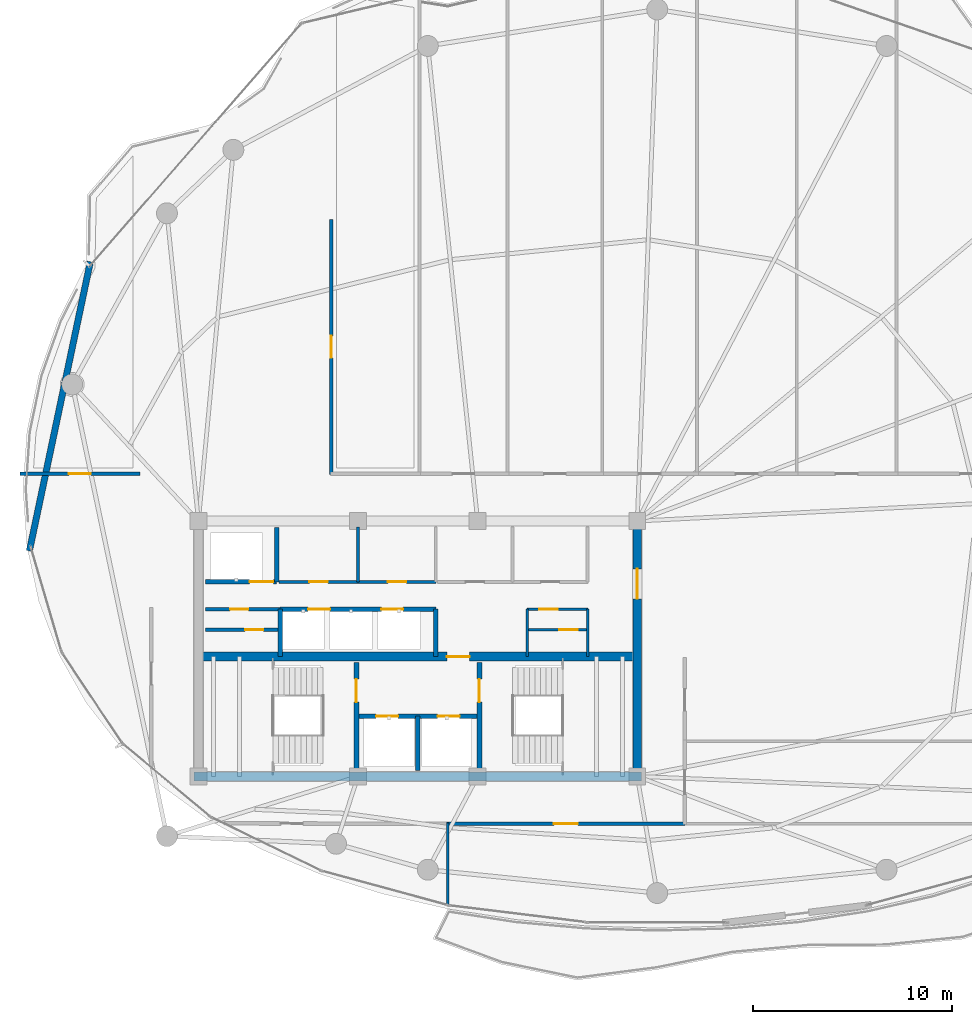
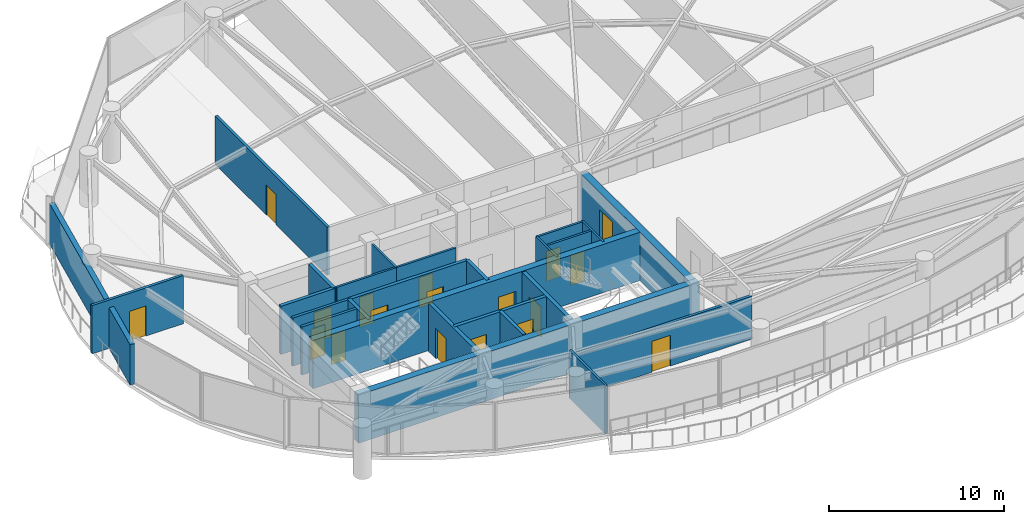
# One storey, part 23 of 28: 26 walls, 18 doors, 18 openings.
"""IFC4 building model written with IfcOpenShell, lengths in metres."""

from ifc_helpers import new_model, si_unit, direction, frame, frame_2d, origin, place, context, subcontext, project, spatial, rectangle, extrude, material, layer, layer_set, type_object, element, fill, save


model = new_model("IFC4")

# Units and contexts
model_context = context("Model", 3, precision=1e-05, world=origin(), true_north=direction((0.0, 1.0)))
body_context = subcontext(model_context, "Body", "Model", "MODEL_VIEW")
ifc_project = project(units=[si_unit("LENGTHUNIT", "METRE"), si_unit("AREAUNIT", "SQUARE_METRE"), si_unit("VOLUMEUNIT", "CUBIC_METRE"), si_unit("PLANEANGLEUNIT", "RADIAN"), si_unit("MASSUNIT", "GRAM", prefix="KILO")], contexts=[model_context])

# Site, building, storey
site_placement = place(None, origin())
site = spatial("IfcSite", under=ifc_project, at=site_placement, CompositionType="ELEMENT")
building_placement = place(site_placement, origin())
building = spatial("IfcBuilding", under=site, at=building_placement, Name="Kazevale Care Tower and Concert Hall", CompositionType="ELEMENT")
storey_placement = place(building_placement, frame((0.0, 0.0, 246.0)))
storey = spatial("IfcBuildingStorey", under=building, at=storey_placement, Name="L65", CompositionType="ELEMENT", Elevation=246.0)

# Wall, opening, door
ifc_material_1 = material(Name="Acoustic Gypsum on Steel Stud", Category="steel")
ifc_layer_1 = layer(ifc_material_1, 0.139892578125)
ifc_layer_set_1 = layer_set([ifc_layer_1], Name="Acoustic Gypsum on Steel Stud")
wall_type_1 = type_object("IfcWallType", Name="Acoustic Care & Suite Partition 140", PredefinedType="PARTITIONING", material=ifc_layer_set_1)
wall_1_placement = place(storey_placement, frame((26.050048828125, 33.35009765625, 0.0), z_axis=(0.0, 0.0, 1.0), x_axis=(1.0, 0.0, 0.0)))
wall_1 = element("IfcWall", 1, at=wall_1_placement, inside=storey, type_object=wall_type_1, Name="wall:L65:c_rpl1_s", PredefinedType="PARTITIONING", context=body_context, shape_type="SweptSolid", body=[
    extrude(rectangle(XDim=3.949951171875, YDim=0.139892578125, at=frame_2d((1.97509765625, 0.0))), origin(), (0.0, 0.0, 1.0), 3.360107421875),
])
opening_1_placement = place(wall_1_placement, frame((1.514892578125, 0.0, 0.0)))
opening_1 = element("IfcOpeningElement", 2, at=opening_1_placement, cuts=wall_1, Name="Opening ID-900", PredefinedType="OPENING", context=body_context, shape_type="SweptSolid", body=[
    extrude(rectangle(XDim=0.919921875, YDim=2.10009765625, at=frame_2d((0.4599609375, 1.050048828125))), frame((0.0, 0.079833984375, 0.0), z_axis=(0.0, -1.0, 0.0), x_axis=(1.0, 0.0, 0.0)), (0.0, 0.0, 1.0), 0.159912109375),
])
ifc_material_2 = material(Name="Oak Timber Fire Leaf", Category="wood")
door_type_1 = type_object("IfcDoorType", Name="Bathroom & Service Door 920x2100", OperationType="NOTDEFINED", PredefinedType="DOOR", material=ifc_material_2)
door_1_placement = place(opening_1_placement, origin())
door_1 = element("IfcDoor", 3, at=door_1_placement, inside=storey, type_object=door_type_1, Name="door:L65:d_rpl1", OperationType="SINGLE_SWING_LEFT", OverallHeight=2.10009765625, OverallWidth=0.919921875, PredefinedType="DOOR", context=body_context, shape_type="SweptSolid", body=[
    extrude(rectangle(XDim=0.919921875, YDim=2.10009765625, at=frame_2d((0.4599609375, 1.050048828125))), frame((0.0, 0.02490234375, 0.0), z_axis=(0.0, -1.0, 0.0), x_axis=(1.0, 0.0, 0.0)), (0.0, 0.0, 1.0), 0.050048828125),
])
fill(opening_1, door_1)

wall_2_placement = place(storey_placement, frame((30.0, 33.35009765625, 0.0), z_axis=(0.0, 0.0, 1.0), x_axis=(1.0, 0.0, 0.0)))
wall_2 = element("IfcWall", 4, at=wall_2_placement, inside=storey, type_object=wall_type_1, Name="wall:L65:c_rpl2_s", PredefinedType="PARTITIONING", context=body_context, shape_type="SweptSolid", body=[
    extrude(rectangle(XDim=3.919921875, YDim=0.139892578125, at=frame_2d((1.9599609375, 0.0))), origin(), (0.0, 0.0, 1.0), 3.360107421875),
])
opening_2_placement = place(wall_2_placement, frame((1.5, 0.0, 0.0)))
opening_2 = element("IfcOpeningElement", 5, at=opening_2_placement, cuts=wall_2, Name="Opening ID-900", PredefinedType="OPENING", context=body_context, shape_type="SweptSolid", body=[
    extrude(rectangle(XDim=0.919921875, YDim=2.10009765625, at=frame_2d((0.4599609375, 1.050048828125))), frame((0.0, 0.079833984375, 0.0), z_axis=(0.0, -1.0, 0.0), x_axis=(1.0, 0.0, 0.0)), (0.0, 0.0, 1.0), 0.159912109375),
])
door_2_placement = place(opening_2_placement, origin())
door_2 = element("IfcDoor", 6, at=door_2_placement, inside=storey, type_object=door_type_1, Name="door:L65:d_rpl2", OperationType="SINGLE_SWING_RIGHT", OverallHeight=2.10009765625, OverallWidth=0.919921875, PredefinedType="DOOR", context=body_context, shape_type="SweptSolid", body=[
    extrude(rectangle(XDim=0.919921875, YDim=2.10009765625, at=frame_2d((0.4599609375, 1.050048828125))), frame((0.0, 0.02490234375, 0.0), z_axis=(0.0, -1.0, 0.0), x_axis=(1.0, 0.0, 0.0)), (0.0, 0.0, 1.0), 0.050048828125),
])
fill(opening_2, door_2)

# Walls
wall_3_placement = place(storey_placement, frame((30.0, 33.35009765625, 0.0), z_axis=(0.0, 0.0, 1.0), x_axis=(0.0, 1.0, 0.0)))
element("IfcWall", 7, at=wall_3_placement, inside=storey, type_object=wall_type_1, Name="wall:L65:c_rpl_m", PredefinedType="PARTITIONING", context=body_context, shape_type="SweptSolid", body=[
    extrude(rectangle(XDim=2.75, YDim=0.139892578125, at=frame_2d((1.375, 0.0))), origin(), (0.0, 0.0, 1.0), 3.360107421875),
])
for number, where, z_axis, x_axis, name in (
    (8, (38.47998046875, 29.6201171875, 0.0), (0.0, 0.0, 1.0), (0.0, 1.0, 0.0), "wall:L65:kc_ew"),
    (9, (41.52001953125, 29.6201171875, 0.0), (0.0, 0.0, 1.0), (0.0, 1.0, 0.0), "wall:L65:kc_ee"),
):
    element("IfcWall", number, at=place(storey_placement, frame(where, z_axis=z_axis, x_axis=x_axis)), inside=storey, type_object=wall_type_1, Name=name, PredefinedType="PARTITIONING", context=body_context, shape_type="SweptSolid", body=[
        extrude(rectangle(XDim=2.35986328125, YDim=0.139892578125, at=frame_2d((1.179931640625, 0.0))), origin(), (0.0, 0.0, 1.0), 3.360107421875),
    ])

# Wall, opening, door
wall_4_placement = place(storey_placement, frame((38.47998046875, 30.949951171875, 0.0), z_axis=(0.0, 0.0, 1.0), x_axis=(1.0, 0.0, 0.0)))
wall_4 = element("IfcWall", 10, at=wall_4_placement, inside=storey, type_object=wall_type_1, Name="wall:L65:kc_em", PredefinedType="PARTITIONING", context=body_context, shape_type="SweptSolid", body=[
    extrude(rectangle(XDim=3.0400390625, YDim=0.139892578125, at=frame_2d((1.52001953125, 0.0))), origin(), (0.0, 0.0, 1.0), 3.360107421875),
])
opening_3_placement = place(wall_4_placement, frame((1.616943359375, 0.0, 0.0)))
opening_3 = element("IfcOpeningElement", 11, at=opening_3_placement, cuts=wall_4, Name="Opening ID-900", PredefinedType="OPENING", context=body_context, shape_type="SweptSolid", body=[
    extrude(rectangle(XDim=0.919921875, YDim=2.10009765625, at=frame_2d((0.4599609375, 1.050048828125))), frame((0.0, 0.079833984375, 0.0), z_axis=(0.0, -1.0, 0.0), x_axis=(1.0, 0.0, 0.0)), (0.0, 0.0, 1.0), 0.159912109375),
])
door_3_placement = place(opening_3_placement, origin())
door_3 = element("IfcDoor", 12, at=door_3_placement, inside=storey, type_object=door_type_1, Name="door:L65:d_kceb", OperationType="SINGLE_SWING_RIGHT", OverallHeight=2.10009765625, OverallWidth=0.919921875, PredefinedType="DOOR", context=body_context, shape_type="SweptSolid", body=[
    extrude(rectangle(XDim=0.919921875, YDim=2.10009765625, at=frame_2d((0.4599609375, 1.050048828125))), frame((0.0, 0.02490234375, 0.0), z_axis=(0.0, -1.0, 0.0), x_axis=(1.0, 0.0, 0.0)), (0.0, 0.0, 1.0), 0.050048828125),
])
fill(opening_3, door_3)

wall_5_placement = place(storey_placement, frame((38.47998046875, 31.97998046875, 0.0), z_axis=(0.0, 0.0, 1.0), x_axis=(1.0, 0.0, 0.0)))
wall_5 = element("IfcWall", 13, at=wall_5_placement, inside=storey, type_object=wall_type_1, Name="wall:L65:kc_en", PredefinedType="PARTITIONING", context=body_context, shape_type="SweptSolid", body=[
    extrude(rectangle(XDim=3.0400390625, YDim=0.139892578125, at=frame_2d((1.52001953125, 0.0))), origin(), (0.0, 0.0, 1.0), 3.360107421875),
])
opening_4_placement = place(wall_5_placement, frame((0.614013671875, 0.0, 0.0)))
opening_4 = element("IfcOpeningElement", 14, at=opening_4_placement, cuts=wall_5, Name="Opening ID-900", PredefinedType="OPENING", context=body_context, shape_type="SweptSolid", body=[
    extrude(rectangle(XDim=0.919921875, YDim=2.10009765625, at=frame_2d((0.4599609375, 1.050048828125))), frame((0.0, 0.079833984375, 0.0), z_axis=(0.0, -1.0, 0.0), x_axis=(1.0, 0.0, 0.0)), (0.0, 0.0, 1.0), 0.159912109375),
])
door_4_placement = place(opening_4_placement, origin())
door_4 = element("IfcDoor", 15, at=door_4_placement, inside=storey, type_object=door_type_1, Name="door:L65:d_kcet", OperationType="SINGLE_SWING_LEFT", OverallHeight=2.10009765625, OverallWidth=0.919921875, PredefinedType="DOOR", context=body_context, shape_type="SweptSolid", body=[
    extrude(rectangle(XDim=0.919921875, YDim=2.10009765625, at=frame_2d((0.4599609375, 1.050048828125))), frame((0.0, 0.02490234375, 0.0), z_axis=(0.0, -1.0, 0.0), x_axis=(1.0, 0.0, 0.0)), (0.0, 0.0, 1.0), 0.050048828125),
])
fill(opening_4, door_4)

# Walls
wall_6_placement = place(storey_placement, frame((34.5, 21.2548828125, 0.0), z_axis=(0.0, 0.0, 1.0), x_axis=(0.0, -1.0, 0.0)))
element("IfcWall", 16, at=wall_6_placement, inside=storey, type_object=wall_type_1, Name="wall:L65:auto_024", PredefinedType="PARTITIONING", context=body_context, shape_type="SweptSolid", body=[
    extrude(rectangle(XDim=4.103515625, YDim=0.139892578125, at=frame_2d((2.0517578125, 0.0))), origin(), (0.0, 0.0, 1.0), 3.360107421875),
])
ifc_material_3 = material(Name="Concrete C50", Category="concrete")
ifc_layer_2 = layer(ifc_material_3, 0.449951171875)
ifc_layer_set_2 = layer_set([ifc_layer_2], Name="Concrete C50")
wall_type_2 = type_object("IfcWallType", Name="Core Shear Wall 450 C50", PredefinedType="SHEAR", material=ifc_layer_set_2)
wall_7_placement = place(storey_placement, frame((21.77490234375, 23.60009765625, 0.0), z_axis=(0.0, 0.0, 1.0), x_axis=(1.0, 0.0, 0.0)))
element("IfcWall", 17, at=wall_7_placement, inside=storey, type_object=wall_type_2, Name="wall:L65:core:S", PredefinedType="SHEAR", context=body_context, shape_type="SweptSolid", body=[
    extrude(rectangle(XDim=22.4501953125, YDim=0.449951171875, at=frame_2d((11.22509765625, 0.0))), origin(), (0.0, 0.0, 1.0), 3.360107421875),
])

# Wall, opening, door
wall_8_placement = place(storey_placement, frame((44.0, 23.824951171875, 0.0), z_axis=(0.0, 0.0, 1.0), x_axis=(0.0, 1.0, 0.0)))
wall_8 = element("IfcWall", 18, at=wall_8_placement, inside=storey, type_object=wall_type_2, Name="wall:L65:core:E", PredefinedType="SHEAR", context=body_context, shape_type="SweptSolid", body=[
    extrude(rectangle(XDim=12.35009765625, YDim=0.449951171875, at=frame_2d((6.175048828125, 0.0))), origin(), (0.0, 0.0, 1.0), 3.360107421875),
])
opening_5_placement = place(wall_8_placement, frame((8.675048828125, 0.0, 0.0)))
opening_5 = element("IfcOpeningElement", 19, at=opening_5_placement, cuts=wall_8, Name="Opening FD-60D", PredefinedType="OPENING", context=body_context, shape_type="SweptSolid", body=[
    extrude(rectangle(XDim=1.5, YDim=2.14990234375, at=frame_2d((0.75, 1.074951171875))), frame((0.0, 0.23486328125, 0.0), z_axis=(0.0, -1.0, 0.0), x_axis=(1.0, 0.0, 0.0)), (0.0, 0.0, 1.0), 0.469970703125),
])
door_type_2 = type_object("IfcDoorType", Name="Double Lobby & Auditorium Fire Door 1500x2150", OperationType="NOTDEFINED", PredefinedType="DOOR", material=ifc_material_2)
door_5_placement = place(opening_5_placement, origin())
door_5 = element("IfcDoor", 20, at=door_5_placement, inside=storey, type_object=door_type_2, Name="door:L65:core_east_out", OperationType="DOUBLE_DOOR_SINGLE_SWING", OverallHeight=2.14990234375, OverallWidth=1.5, PredefinedType="DOOR", context=body_context, shape_type="SweptSolid", body=[
    extrude(rectangle(XDim=1.5, YDim=2.14990234375, at=frame_2d((0.75, 1.074951171875))), frame((0.0, 0.02490234375, 0.0), z_axis=(0.0, -1.0, 0.0), x_axis=(1.0, 0.0, 0.0)), (0.0, 0.0, 1.0), 0.050048828125),
])
fill(opening_5, door_5)

wall_9_placement = place(storey_placement, frame((22.22509765625, 29.60009765625, 0.0), z_axis=(0.0, 0.0, 1.0), x_axis=(1.0, 0.0, 0.0)))
wall_9 = element("IfcWall", 21, at=wall_9_placement, inside=storey, type_object=wall_type_2, Name="wall:L65:core:M", PredefinedType="SHEAR", context=body_context, shape_type="SweptSolid", body=[
    extrude(rectangle(XDim=21.5498046875, YDim=0.449951171875, at=frame_2d((10.77490234375, 0.0))), origin(), (0.0, 0.0, 1.0), 3.360107421875),
])
opening_6_placement = place(wall_9_placement, frame((12.22509765625, 0.0, 0.0)))
opening_6 = element("IfcOpeningElement", 22, at=opening_6_placement, cuts=wall_9, Name="Opening FD-90", PredefinedType="OPENING", context=body_context, shape_type="SweptSolid", body=[
    extrude(rectangle(XDim=1.14990234375, YDim=2.10009765625, at=frame_2d((0.574951171875, 1.050048828125))), frame((0.0, 0.23486328125, 0.0), z_axis=(0.0, -1.0, 0.0), x_axis=(1.0, 0.0, 0.0)), (0.0, 0.0, 1.0), 0.469970703125),
])
ifc_material_4 = material(Name="Steel ASTM A572 Gr 50", Category="steel")
door_type_3 = type_object("IfcDoorType", Name="Pressurized Stair & Lobby Fire Door 1150x2100", OperationType="NOTDEFINED", PredefinedType="DOOR", material=ifc_material_4)
door_6_placement = place(opening_6_placement, origin())
door_6 = element("IfcDoor", 23, at=door_6_placement, inside=storey, type_object=door_type_3, Name="door:L65:ff_to_pax", OperationType="SINGLE_SWING_LEFT", OverallHeight=2.10009765625, OverallWidth=1.14990234375, PredefinedType="DOOR", context=body_context, shape_type="SweptSolid", body=[
    extrude(rectangle(XDim=1.14990234375, YDim=2.10009765625, at=frame_2d((0.574951171875, 1.050048828125))), frame((0.0, 0.02490234375, 0.0), z_axis=(0.0, -1.0, 0.0), x_axis=(1.0, 0.0, 0.0)), (0.0, 0.0, 1.0), 0.050048828125),
])
fill(opening_6, door_6)

# Wall, openings, doors
ifc_material_5 = material(Name="Concrete C40", Category="concrete")
ifc_layer_3 = layer(ifc_material_5, 0.219970703125)
ifc_layer_set_3 = layer_set([ifc_layer_3], Name="Concrete C40")
wall_type_3 = type_object("IfcWallType", Name="Elevator Hoistway Shaft Wall 220", PredefinedType="SOLIDWALL", material=ifc_layer_set_3)
wall_10_placement = place(storey_placement, frame((29.919921875, 26.6201171875, 0.0), z_axis=(0.0, 0.0, 1.0), x_axis=(1.0, 0.0, 0.0)))
wall_10 = element("IfcWall", 24, at=wall_10_placement, inside=storey, type_object=wall_type_3, Name="wall:L65:c_ffl_n", PredefinedType="SOLIDWALL", context=body_context, shape_type="SweptSolid", body=[
    extrude(rectangle(XDim=6.16015625, YDim=0.219970703125, at=frame_2d((3.080078125, 0.0))), origin(), (0.0, 0.0, 1.0), 3.360107421875),
])
opening_7_placement = place(wall_10_placement, frame((0.989990234375, 0.0, 0.0)))
opening_7 = element("IfcOpeningElement", 25, at=opening_7_placement, cuts=wall_10, Name="Opening LD-FF", PredefinedType="OPENING", context=body_context, shape_type="SweptSolid", body=[
    extrude(rectangle(XDim=1.10009765625, YDim=2.10009765625, at=frame_2d((0.550048828125, 1.050048828125))), frame((0.0, 0.119873046875, 0.0), z_axis=(0.0, -1.0, 0.0), x_axis=(1.0, 0.0, 0.0)), (0.0, 0.0, 1.0), 0.239990234375),
])
opening_8_placement = place(wall_10_placement, frame((4.070068359375, 0.0, 0.0)))
opening_8 = element("IfcOpeningElement", 26, at=opening_8_placement, cuts=wall_10, Name="Opening LD-FF", PredefinedType="OPENING", context=body_context, shape_type="SweptSolid", body=[
    extrude(rectangle(XDim=1.10009765625, YDim=2.10009765625, at=frame_2d((0.550048828125, 1.050048828125))), frame((0.0, 0.119873046875, 0.0), z_axis=(0.0, -1.0, 0.0), x_axis=(1.0, 0.0, 0.0)), (0.0, 0.0, 1.0), 0.239990234375),
])
ifc_material_6 = material(Name="Stainless Steel 316", Category="steel")
door_type_4 = type_object("IfcDoorType", Name="Emergency Lift Sliding Landing Door 1100x2100", OperationType="NOTDEFINED", PredefinedType="DOOR", material=ifc_material_6)
door_7_placement = place(opening_7_placement, origin())
door_7 = element("IfcDoor", 27, at=door_7_placement, inside=storey, type_object=door_type_4, Name="door:L65:ld_ffl1", OperationType="SLIDING_TO_LEFT", OverallHeight=2.10009765625, OverallWidth=1.10009765625, PredefinedType="DOOR", context=body_context, shape_type="SweptSolid", body=[
    extrude(rectangle(XDim=1.10009765625, YDim=2.10009765625, at=frame_2d((0.550048828125, 1.050048828125))), frame((0.0, 0.02490234375, 0.0), z_axis=(0.0, -1.0, 0.0), x_axis=(1.0, 0.0, 0.0)), (0.0, 0.0, 1.0), 0.050048828125),
])
fill(opening_7, door_7)
door_8_placement = place(opening_8_placement, origin())
door_8 = element("IfcDoor", 28, at=door_8_placement, inside=storey, type_object=door_type_4, Name="door:L65:ld_ffl2", OperationType="SLIDING_TO_RIGHT", OverallHeight=2.10009765625, OverallWidth=1.10009765625, PredefinedType="DOOR", context=body_context, shape_type="SweptSolid", body=[
    extrude(rectangle(XDim=1.10009765625, YDim=2.10009765625, at=frame_2d((0.550048828125, 1.050048828125))), frame((0.0, 0.02490234375, 0.0), z_axis=(0.0, -1.0, 0.0), x_axis=(1.0, 0.0, 0.0)), (0.0, 0.0, 1.0), 0.050048828125),
])
fill(opening_8, door_8)

# Walls
wall_11_placement = place(storey_placement, frame((33.0, 23.89990234375, 0.0), z_axis=(0.0, 0.0, 1.0), x_axis=(0.0, 1.0, 0.0)))
element("IfcWall", 29, at=wall_11_placement, inside=storey, type_object=wall_type_3, Name="wall:L65:c_ffl_m", PredefinedType="SOLIDWALL", context=body_context, shape_type="SweptSolid", body=[
    extrude(rectangle(XDim=2.72021484375, YDim=0.219970703125, at=frame_2d((1.360107421875, 0.0))), origin(), (0.0, 0.0, 1.0), 3.360107421875),
])
wall_12_placement = place(storey_placement, frame((25.919921875, 33.35009765625, 0.0), z_axis=(0.0, 0.0, 1.0), x_axis=(0.0, 1.0, 0.0)))
element("IfcWall", 30, at=wall_12_placement, inside=storey, type_object=wall_type_3, Name="wall:L65:c_svl_e", PredefinedType="SOLIDWALL", context=body_context, shape_type="SweptSolid", body=[
    extrude(rectangle(XDim=2.72998046875, YDim=0.219970703125, at=frame_2d((1.364990234375, 0.0))), origin(), (0.0, 0.0, 1.0), 3.360107421875),
])

# Wall, opening, door
wall_13_placement = place(storey_placement, frame((22.35009765625, 33.35009765625, 0.0), z_axis=(0.0, 0.0, 1.0), x_axis=(1.0, 0.0, 0.0)))
wall_13 = element("IfcWall", 31, at=wall_13_placement, inside=storey, type_object=wall_type_3, Name="wall:L65:c_svl_s", PredefinedType="SOLIDWALL", context=body_context, shape_type="SweptSolid", body=[
    extrude(rectangle(XDim=3.56982421875, YDim=0.219970703125, at=frame_2d((1.784912109375, 0.0))), origin(), (0.0, 0.0, 1.0), 3.360107421875),
])
opening_9_placement = place(wall_13_placement, frame((2.212890625, 0.0, 0.0)))
opening_9 = element("IfcOpeningElement", 32, at=opening_9_placement, cuts=wall_13, Name="Opening LD-SV", PredefinedType="OPENING", context=body_context, shape_type="SweptSolid", body=[
    extrude(rectangle(XDim=1.199951171875, YDim=2.10009765625, at=frame_2d((0.60009765625, 1.050048828125))), frame((0.0, 0.119873046875, 0.0), z_axis=(0.0, -1.0, 0.0), x_axis=(1.0, 0.0, 0.0)), (0.0, 0.0, 1.0), 0.239990234375),
])
door_type_5 = type_object("IfcDoorType", Name="Service Lift Sliding Landing Door 1200x2100", OperationType="NOTDEFINED", PredefinedType="DOOR", material=ifc_material_6)
door_9_placement = place(opening_9_placement, origin())
door_9 = element("IfcDoor", 33, at=door_9_placement, inside=storey, type_object=door_type_5, Name="door:L65:ld_svl1", OperationType="SLIDING_TO_LEFT", OverallHeight=2.10009765625, OverallWidth=1.199951171875, PredefinedType="DOOR", context=body_context, shape_type="SweptSolid", body=[
    extrude(rectangle(XDim=1.199951171875, YDim=2.10009765625, at=frame_2d((0.60009765625, 1.050048828125))), frame((0.0, 0.02490234375, 0.0), z_axis=(0.0, -1.0, 0.0), x_axis=(1.0, 0.0, 0.0)), (0.0, 0.0, 1.0), 0.050048828125),
])
fill(opening_9, door_9)

# Wall
wall_14_placement = place(storey_placement, frame((26.10009765625, 29.6201171875, 0.0), z_axis=(0.0, 0.0, 1.0), x_axis=(0.0, 1.0, 0.0)))
element("IfcWall", 34, at=wall_14_placement, inside=storey, type_object=wall_type_3, Name="wall:L65:c_ph_w", PredefinedType="SOLIDWALL", context=body_context, shape_type="SweptSolid", body=[
    extrude(rectangle(XDim=2.35986328125, YDim=0.219970703125, at=frame_2d((1.179931640625, 0.0))), origin(), (0.0, 0.0, 1.0), 3.360107421875),
])

# Wall, openings, doors
wall_15_placement = place(storey_placement, frame((26.10009765625, 31.97998046875, 0.0), z_axis=(0.0, 0.0, 1.0), x_axis=(1.0, 0.0, 0.0)))
wall_15 = element("IfcWall", 35, at=wall_15_placement, inside=storey, type_object=wall_type_3, Name="wall:L65:c_ph_n", PredefinedType="SOLIDWALL", context=body_context, shape_type="SweptSolid", body=[
    extrude(rectangle(XDim=7.7998046875, YDim=0.219970703125, at=frame_2d((3.89990234375, 0.0))), origin(), (0.0, 0.0, 1.0), 3.360107421875),
])
opening_10_placement = place(wall_15_placement, frame((1.39990234375, 0.0, 0.0)))
opening_10 = element("IfcOpeningElement", 36, at=opening_10_placement, cuts=wall_15, Name="Opening LD-PAX", PredefinedType="OPENING", context=body_context, shape_type="SweptSolid", body=[
    extrude(rectangle(XDim=1.10009765625, YDim=2.10009765625, at=frame_2d((0.550048828125, 1.050048828125))), frame((0.0, 0.119873046875, 0.0), z_axis=(0.0, -1.0, 0.0), x_axis=(1.0, 0.0, 0.0)), (0.0, 0.0, 1.0), 0.239990234375),
])
opening_11_placement = place(wall_15_placement, frame((5.06591796875, 0.0, 0.0)))
opening_11 = element("IfcOpeningElement", 37, at=opening_11_placement, cuts=wall_15, Name="Opening LD-PAX", PredefinedType="OPENING", context=body_context, shape_type="SweptSolid", body=[
    extrude(rectangle(XDim=1.10009765625, YDim=2.10009765625, at=frame_2d((0.550048828125, 1.050048828125))), frame((0.0, 0.119873046875, 0.0), z_axis=(0.0, -1.0, 0.0), x_axis=(1.0, 0.0, 0.0)), (0.0, 0.0, 1.0), 0.239990234375),
])
door_type_6 = type_object("IfcDoorType", Name="Passenger Lift Sliding Landing Door 1100x2100", OperationType="NOTDEFINED", PredefinedType="DOOR", material=ifc_material_6)
door_10_placement = place(opening_10_placement, origin())
door_10 = element("IfcDoor", 38, at=door_10_placement, inside=storey, type_object=door_type_6, Name="door:L65:ld_ph1", OperationType="SLIDING_TO_LEFT", OverallHeight=2.10009765625, OverallWidth=1.10009765625, PredefinedType="DOOR", context=body_context, shape_type="SweptSolid", body=[
    extrude(rectangle(XDim=1.10009765625, YDim=2.10009765625, at=frame_2d((0.550048828125, 1.050048828125))), frame((0.0, 0.02490234375, 0.0), z_axis=(0.0, -1.0, 0.0), x_axis=(1.0, 0.0, 0.0)), (0.0, 0.0, 1.0), 0.050048828125),
])
fill(opening_10, door_10)
door_11_placement = place(opening_11_placement, origin())
door_11 = element("IfcDoor", 39, at=door_11_placement, inside=storey, type_object=door_type_6, Name="door:L65:ld_ph2", OperationType="SLIDING_TO_RIGHT", OverallHeight=2.10009765625, OverallWidth=1.10009765625, PredefinedType="DOOR", context=body_context, shape_type="SweptSolid", body=[
    extrude(rectangle(XDim=1.10009765625, YDim=2.10009765625, at=frame_2d((0.550048828125, 1.050048828125))), frame((0.0, 0.02490234375, 0.0), z_axis=(0.0, -1.0, 0.0), x_axis=(1.0, 0.0, 0.0)), (0.0, 0.0, 1.0), 0.050048828125),
])
fill(opening_11, door_11)

# Wall
wall_16_placement = place(storey_placement, frame((33.89990234375, 29.6201171875, 0.0), z_axis=(0.0, 0.0, 1.0), x_axis=(0.0, 1.0, 0.0)))
element("IfcWall", 40, at=wall_16_placement, inside=storey, type_object=wall_type_3, Name="wall:L65:c_ph_e", PredefinedType="SOLIDWALL", context=body_context, shape_type="SweptSolid", body=[
    extrude(rectangle(XDim=2.35986328125, YDim=0.219970703125, at=frame_2d((1.179931640625, 0.0))), origin(), (0.0, 0.0, 1.0), 3.360107421875),
])

# Wall, opening, door
ifc_material_7 = material(Name="Concrete C40 and Acoustic Gypsum", Category="concrete")
ifc_layer_4 = layer(ifc_material_7, 0.179931640625)
ifc_layer_set_4 = layer_set([ifc_layer_4], Name="Concrete C40 and Acoustic Gypsum")
wall_type_4 = type_object("IfcWallType", Name="Fire-Rated Corridor & Party Wall 180", PredefinedType="PARTITIONING", material=ifc_layer_set_4)
wall_17_placement = place(storey_placement, frame((22.35009765625, 30.949951171875, 0.0), z_axis=(0.0, 0.0, 1.0), x_axis=(1.0, 0.0, 0.0)))
wall_17 = element("IfcWall", 41, at=wall_17_placement, inside=storey, type_object=wall_type_4, Name="wall:L65:kc_wm", PredefinedType="PARTITIONING", context=body_context, shape_type="SweptSolid", body=[
    extrude(rectangle(XDim=3.75, YDim=0.179931640625, at=frame_2d((1.875, 0.0))), origin(), (0.0, 0.0, 1.0), 3.360107421875),
])
opening_12_placement = place(wall_17_placement, frame((1.988037109375, 0.0, 0.0)))
opening_12 = element("IfcOpeningElement", 42, at=opening_12_placement, cuts=wall_17, Name="Opening ID-900", PredefinedType="OPENING", context=body_context, shape_type="SweptSolid", body=[
    extrude(rectangle(XDim=0.919921875, YDim=2.10009765625, at=frame_2d((0.4599609375, 1.050048828125))), frame((0.0, 0.099853515625, 0.0), z_axis=(0.0, -1.0, 0.0), x_axis=(1.0, 0.0, 0.0)), (0.0, 0.0, 1.0), 0.199951171875),
])
door_12_placement = place(opening_12_placement, origin())
door_12 = element("IfcDoor", 43, at=door_12_placement, inside=storey, type_object=door_type_1, Name="door:L65:d_kcwb", OperationType="SINGLE_SWING_RIGHT", OverallHeight=2.10009765625, OverallWidth=0.919921875, PredefinedType="DOOR", context=body_context, shape_type="SweptSolid", body=[
    extrude(rectangle(XDim=0.919921875, YDim=2.10009765625, at=frame_2d((0.4599609375, 1.050048828125))), frame((0.0, 0.02490234375, 0.0), z_axis=(0.0, -1.0, 0.0), x_axis=(1.0, 0.0, 0.0)), (0.0, 0.0, 1.0), 0.050048828125),
])
fill(opening_12, door_12)

wall_18_placement = place(storey_placement, frame((22.35009765625, 31.97998046875, 0.0), z_axis=(0.0, 0.0, 1.0), x_axis=(1.0, 0.0, 0.0)))
wall_18 = element("IfcWall", 44, at=wall_18_placement, inside=storey, type_object=wall_type_4, Name="wall:L65:kc_wn", PredefinedType="PARTITIONING", context=body_context, shape_type="SweptSolid", body=[
    extrude(rectangle(XDim=3.75, YDim=0.179931640625, at=frame_2d((1.875, 0.0))), origin(), (0.0, 0.0, 1.0), 3.360107421875),
])
opening_13_placement = place(wall_18_placement, frame((1.238037109375, 0.0, 0.0)))
opening_13 = element("IfcOpeningElement", 45, at=opening_13_placement, cuts=wall_18, Name="Opening ID-900", PredefinedType="OPENING", context=body_context, shape_type="SweptSolid", body=[
    extrude(rectangle(XDim=0.919921875, YDim=2.10009765625, at=frame_2d((0.4599609375, 1.050048828125))), frame((0.0, 0.099853515625, 0.0), z_axis=(0.0, -1.0, 0.0), x_axis=(1.0, 0.0, 0.0)), (0.0, 0.0, 1.0), 0.199951171875),
])
door_13_placement = place(opening_13_placement, origin())
door_13 = element("IfcDoor", 46, at=door_13_placement, inside=storey, type_object=door_type_1, Name="door:L65:d_kcwt", OperationType="SINGLE_SWING_LEFT", OverallHeight=2.10009765625, OverallWidth=0.919921875, PredefinedType="DOOR", context=body_context, shape_type="SweptSolid", body=[
    extrude(rectangle(XDim=0.919921875, YDim=2.10009765625, at=frame_2d((0.4599609375, 1.050048828125))), frame((0.0, 0.02490234375, 0.0), z_axis=(0.0, -1.0, 0.0), x_axis=(1.0, 0.0, 0.0)), (0.0, 0.0, 1.0), 0.050048828125),
])
fill(opening_13, door_13)

wall_19_placement = place(storey_placement, frame((13.053955078125, 38.77490234375, 0.0), z_axis=(0.0, 0.0, 1.0), x_axis=(1.0, 0.0, 0.0)))
wall_19 = element("IfcWall", 47, at=wall_19_placement, inside=storey, type_object=wall_type_4, Name="wall:L65:auto_001", PredefinedType="PARTITIONING", context=body_context, shape_type="SweptSolid", body=[
    extrude(rectangle(XDim=6.010986328125, YDim=0.179931640625, at=frame_2d((3.00537109375, 0.0))), origin(), (0.0, 0.0, 1.0), 3.360107421875),
])
opening_14_placement = place(wall_19_placement, frame((2.455078125, 0.0, 0.0)))
opening_14 = element("IfcOpeningElement", 48, at=opening_14_placement, cuts=wall_19, Name="Opening ID-1100", PredefinedType="OPENING", context=body_context, shape_type="SweptSolid", body=[
    extrude(rectangle(XDim=1.10009765625, YDim=2.10009765625, at=frame_2d((0.550048828125, 1.050048828125))), frame((0.0, 0.099853515625, 0.0), z_axis=(0.0, -1.0, 0.0), x_axis=(1.0, 0.0, 0.0)), (0.0, 0.0, 1.0), 0.199951171875),
])
door_type_7 = type_object("IfcDoorType", Name="Care Bedroom Accessible Door 1100x2100", OperationType="NOTDEFINED", PredefinedType="DOOR", material=ifc_material_2)
door_14_placement = place(opening_14_placement, origin())
door_14 = element("IfcDoor", 49, at=door_14_placement, inside=storey, type_object=door_type_7, Name="door:L65:ad_001", OperationType="SINGLE_SWING_LEFT", OverallHeight=2.10009765625, OverallWidth=1.10009765625, PredefinedType="DOOR", context=body_context, shape_type="SweptSolid", body=[
    extrude(rectangle(XDim=1.10009765625, YDim=2.10009765625, at=frame_2d((0.550048828125, 1.050048828125))), frame((0.0, 0.02490234375, 0.0), z_axis=(0.0, -1.0, 0.0), x_axis=(1.0, 0.0, 0.0)), (0.0, 0.0, 1.0), 0.050048828125),
])
fill(opening_14, door_14)

wall_20_placement = place(storey_placement, frame((28.64990234375, 51.530029296875, 0.0), z_axis=(0.0, 0.0, 1.0), x_axis=(0.0, -1.0, 0.0)))
wall_20 = element("IfcWall", 50, at=wall_20_placement, inside=storey, type_object=wall_type_4, Name="wall:L65:auto_002", PredefinedType="PARTITIONING", context=body_context, shape_type="SweptSolid", body=[
    extrude(rectangle(XDim=12.784912109375, YDim=0.179931640625, at=frame_2d((6.392578125, 0.0))), origin(), (0.0, 0.0, 1.0), 3.360107421875),
])
opening_15_placement = place(wall_20_placement, frame((5.843017578125, 0.0, 0.0)))
opening_15 = element("IfcOpeningElement", 51, at=opening_15_placement, cuts=wall_20, Name="Opening ID-1100", PredefinedType="OPENING", context=body_context, shape_type="SweptSolid", body=[
    extrude(rectangle(XDim=1.10009765625, YDim=2.10009765625, at=frame_2d((0.550048828125, 1.050048828125))), frame((0.0, 0.099853515625, 0.0), z_axis=(0.0, -1.0, 0.0), x_axis=(1.0, 0.0, 0.0)), (0.0, 0.0, 1.0), 0.199951171875),
])
door_15_placement = place(opening_15_placement, origin())
door_15 = element("IfcDoor", 52, at=door_15_placement, inside=storey, type_object=door_type_7, Name="door:L65:ad_002", OperationType="SINGLE_SWING_LEFT", OverallHeight=2.10009765625, OverallWidth=1.10009765625, PredefinedType="DOOR", context=body_context, shape_type="SweptSolid", body=[
    extrude(rectangle(XDim=1.10009765625, YDim=2.10009765625, at=frame_2d((0.550048828125, 1.050048828125))), frame((0.0, 0.02490234375, 0.0), z_axis=(0.0, -1.0, 0.0), x_axis=(1.0, 0.0, 0.0)), (0.0, 0.0, 1.0), 0.050048828125),
])
fill(opening_15, door_15)

wall_21_placement = place(storey_placement, frame((46.405029296875, 21.22509765625, 0.0), z_axis=(0.0, 0.0, 1.0), x_axis=(-1.0, 0.0, 0.0)))
wall_21 = element("IfcWall", 53, at=wall_21_placement, inside=storey, type_object=wall_type_4, Name="wall:L65:auto_013", PredefinedType="PARTITIONING", context=body_context, shape_type="SweptSolid", body=[
    extrude(rectangle(XDim=11.969970703125, YDim=0.179931640625, at=frame_2d((5.98486328125, 0.0))), origin(), (0.0, 0.0, 1.0), 2.99609375),
])
opening_16_placement = place(wall_21_placement, frame((5.385009765625, 0.0, 0.0)))
opening_16 = element("IfcOpeningElement", 54, at=opening_16_placement, cuts=wall_21, Name="Opening ID-1200", PredefinedType="OPENING", context=body_context, shape_type="SweptSolid", body=[
    extrude(rectangle(XDim=1.199951171875, YDim=2.14990234375, at=frame_2d((0.60009765625, 1.074951171875))), frame((0.0, 0.099853515625, 0.0), z_axis=(0.0, -1.0, 0.0), x_axis=(1.0, 0.0, 0.0)), (0.0, 0.0, 1.0), 0.199951171875),
])
door_type_8 = type_object("IfcDoorType", Name="Clinical & Therapy Door 1200x2150", OperationType="NOTDEFINED", PredefinedType="DOOR", material=ifc_material_2)
door_16_placement = place(opening_16_placement, origin())
door_16 = element("IfcDoor", 55, at=door_16_placement, inside=storey, type_object=door_type_8, Name="door:L65:ad_013", OperationType="SINGLE_SWING_LEFT", OverallHeight=2.14990234375, OverallWidth=1.199951171875, PredefinedType="DOOR", context=body_context, shape_type="SweptSolid", body=[
    extrude(rectangle(XDim=1.199951171875, YDim=2.14990234375, at=frame_2d((0.60009765625, 1.074951171875))), frame((0.0, 0.02490234375, 0.0), z_axis=(0.0, -1.0, 0.0), x_axis=(1.0, 0.0, 0.0)), (0.0, 0.0, 1.0), 0.050048828125),
])
fill(opening_16, door_16)

ifc_layer_5 = layer(ifc_material_5, 0.25)
ifc_layer_set_5 = layer_set([ifc_layer_5], Name="Concrete C40")
wall_type_5 = type_object("IfcWallType", Name="Pressurized Stair Shaft Wall 250", PredefinedType="SOLIDWALL", material=ifc_layer_set_5)
wall_22_placement = place(storey_placement, frame((29.919921875, 23.89990234375, 0.0), z_axis=(0.0, 0.0, 1.0), x_axis=(0.0, 1.0, 0.0)))
wall_22 = element("IfcWall", 56, at=wall_22_placement, inside=storey, type_object=wall_type_5, Name="wall:L65:c_st1_e", PredefinedType="SOLIDWALL", context=body_context, shape_type="SweptSolid", body=[
    extrude(rectangle(XDim=5.400146484375, YDim=0.25, at=frame_2d((2.7001953125, 0.0))), origin(), (0.0, 0.0, 1.0), 3.360107421875),
])
opening_17_placement = place(wall_22_placement, frame((3.4208984375, 0.0, 0.0)))
opening_17 = element("IfcOpeningElement", 57, at=opening_17_placement, cuts=wall_22, Name="Opening FD-90", PredefinedType="OPENING", context=body_context, shape_type="SweptSolid", body=[
    extrude(rectangle(XDim=1.14990234375, YDim=2.10009765625, at=frame_2d((0.574951171875, 1.050048828125))), frame((0.0, 0.135009765625, 0.0), z_axis=(0.0, -1.0, 0.0), x_axis=(1.0, 0.0, 0.0)), (0.0, 0.0, 1.0), 0.27001953125),
])
door_17_placement = place(opening_17_placement, origin())
door_17 = element("IfcDoor", 58, at=door_17_placement, inside=storey, type_object=door_type_3, Name="door:L65:st1", OperationType="SINGLE_SWING_RIGHT", OverallHeight=2.10009765625, OverallWidth=1.14990234375, PredefinedType="DOOR", context=body_context, shape_type="SweptSolid", body=[
    extrude(rectangle(XDim=1.14990234375, YDim=2.10009765625, at=frame_2d((0.574951171875, 1.050048828125))), frame((0.0, 0.02490234375, 0.0), z_axis=(0.0, -1.0, 0.0), x_axis=(1.0, 0.0, 0.0)), (0.0, 0.0, 1.0), 0.050048828125),
])
fill(opening_17, door_17)

wall_23_placement = place(storey_placement, frame((36.080078125, 23.89990234375, 0.0), z_axis=(0.0, 0.0, 1.0), x_axis=(0.0, 1.0, 0.0)))
wall_23 = element("IfcWall", 59, at=wall_23_placement, inside=storey, type_object=wall_type_5, Name="wall:L65:c_st2_w", PredefinedType="SOLIDWALL", context=body_context, shape_type="SweptSolid", body=[
    extrude(rectangle(XDim=5.400146484375, YDim=0.25, at=frame_2d((2.7001953125, 0.0))), origin(), (0.0, 0.0, 1.0), 3.360107421875),
])
opening_18_placement = place(wall_23_placement, frame((3.4208984375, 0.0, 0.0)))
opening_18 = element("IfcOpeningElement", 60, at=opening_18_placement, cuts=wall_23, Name="Opening FD-90", PredefinedType="OPENING", context=body_context, shape_type="SweptSolid", body=[
    extrude(rectangle(XDim=1.14990234375, YDim=2.10009765625, at=frame_2d((0.574951171875, 1.050048828125))), frame((0.0, 0.135009765625, 0.0), z_axis=(0.0, -1.0, 0.0), x_axis=(1.0, 0.0, 0.0)), (0.0, 0.0, 1.0), 0.27001953125),
])
door_18_placement = place(opening_18_placement, origin())
door_18 = element("IfcDoor", 61, at=door_18_placement, inside=storey, type_object=door_type_3, Name="door:L65:st2", OperationType="SINGLE_SWING_LEFT", OverallHeight=2.10009765625, OverallWidth=1.14990234375, PredefinedType="DOOR", context=body_context, shape_type="SweptSolid", body=[
    extrude(rectangle(XDim=1.14990234375, YDim=2.10009765625, at=frame_2d((0.574951171875, 1.050048828125))), frame((0.0, 0.02490234375, 0.0), z_axis=(0.0, -1.0, 0.0), x_axis=(1.0, 0.0, 0.0)), (0.0, 0.0, 1.0), 0.050048828125),
])
fill(opening_18, door_18)

# Wall
ifc_material_8 = material(Name="Concrete C40 with Honed Limestone Cladding", Category="masonry")
ifc_layer_6 = layer(ifc_material_8, 0.320068359375)
ifc_layer_set_6 = layer_set([ifc_layer_6], Name="Concrete C40 with Honed Limestone Cladding")
wall_type_6 = type_object("IfcWallType", Name="Tower Honed Limestone Spandrel Wall 320", PredefinedType="STANDARD", material=ifc_layer_set_6)
wall_24_placement = place(storey_placement, frame((13.52490234375, 34.903076171875, 0.0), z_axis=(0.0, 0.0, 1.0), x_axis=(0.206301080321, 0.978488561128, 0.0)))
element("IfcWall", 62, at=wall_24_placement, inside=storey, type_object=wall_type_6, Name="wall:cw:L65:f13", PredefinedType="STANDARD", context=body_context, shape_type="SweptSolid", body=[
    extrude(rectangle(XDim=14.81884765625, YDim=0.320068359375, at=frame_2d((7.409423828125, 0.0))), origin(), (0.0, 0.0, 1.0), 2.81689453125),
])

save(model, "model.ifc")
